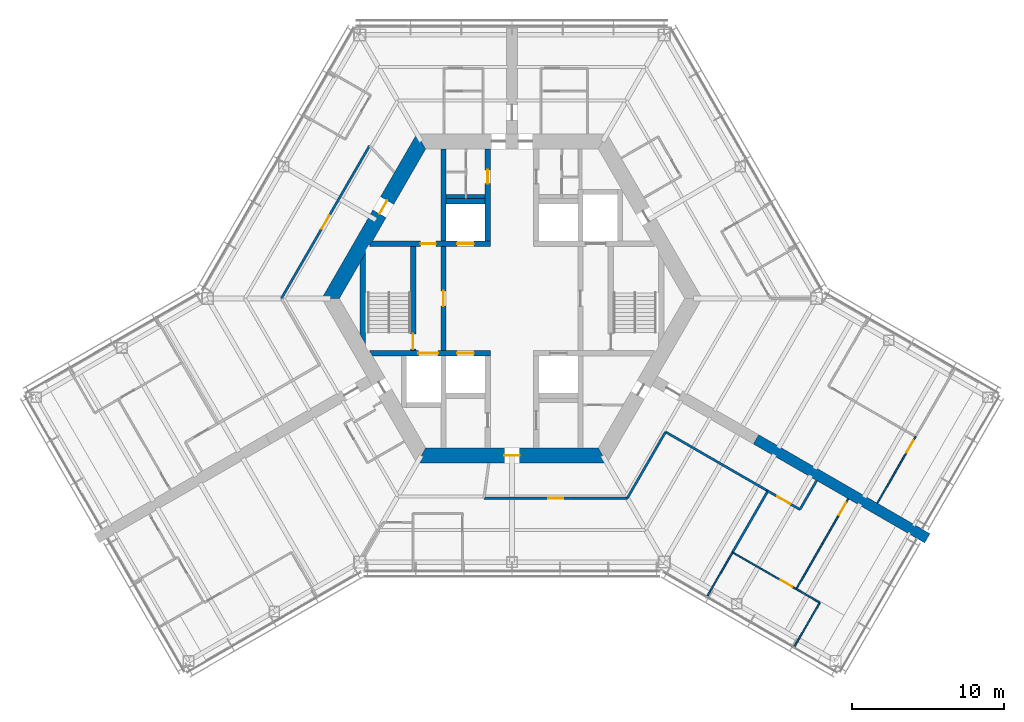
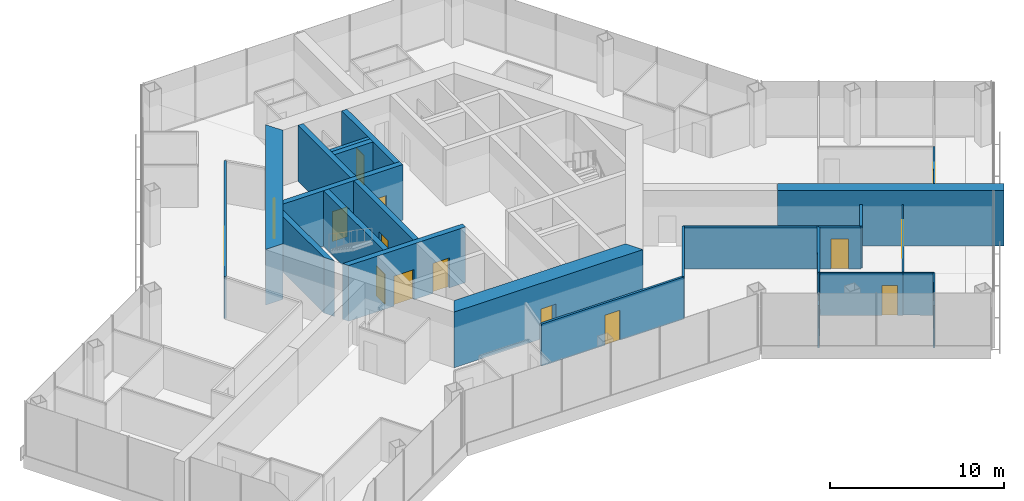
# One storey, part 13 of 18: 25 walls, 15 doors, 15 openings.
"""IFC4 building model written with IfcOpenShell, lengths in metres."""

from ifc_helpers import new_model, si_unit, direction, frame, frame_2d, origin, place, context, subcontext, project, spatial, polyline, rectangle, outline, extrude, material, layer, layer_set, type_object, element, fill, save


model = new_model("IFC4")

# Units and contexts
model_context = context("Model", 3, precision=1e-05, world=origin(), true_north=direction((0.0, 1.0)))
body_context = subcontext(model_context, "Body", "Model", "MODEL_VIEW")
ifc_project = project(units=[si_unit("LENGTHUNIT", "METRE"), si_unit("AREAUNIT", "SQUARE_METRE"), si_unit("VOLUMEUNIT", "CUBIC_METRE"), si_unit("PLANEANGLEUNIT", "RADIAN"), si_unit("MASSUNIT", "GRAM", prefix="KILO")], contexts=[model_context])

# Site, building, storey
site_placement = place(None, origin())
site = spatial("IfcSite", under=ifc_project, at=site_placement, CompositionType="ELEMENT")
building_placement = place(site_placement, origin())
building = spatial("IfcBuilding", under=site, at=building_placement, Name="Kasaneha Research Tower", CompositionType="ELEMENT")
storey_placement = place(building_placement, frame((0.0, 0.0, 195.5)))
storey = spatial("IfcBuildingStorey", under=building, at=storey_placement, Name="L49", CompositionType="ELEMENT", Elevation=195.5)

# Wall, openings, doors
ifc_material_1 = material(Name="Concrete Fc70", Category="concrete")
ifc_layer_1 = layer(ifc_material_1, 0.35009765625)
ifc_layer_set_1 = layer_set([ifc_layer_1], Name="Core internal wall 350 Fc70")
wall_type_1 = type_object("IfcWallType", Name="Core internal wall 350 Fc70", PredefinedType="SHEAR", material=ifc_layer_set_1)
wall_1_placement = place(storey_placement, frame((-9.266357421875, 3.60009765625, 0.0), z_axis=(0.0, 0.0, 1.0), x_axis=(1.0, 0.0, 0.0)))
wall_1 = element("IfcWall", 1, at=wall_1_placement, inside=storey, type_object=wall_type_1, Name="Core wall W1W L49", PredefinedType="SHEAR", context=body_context, shape_type="SweptSolid", body=[
    extrude(outline(polyline([(-0.10107421875, -0.175048828125), (3.266357421875, -0.175048828125), (4.266357421875, -0.175048828125), (5.66650390625, -0.175048828125), (6.7666015625, -0.175048828125), (7.84130859375, -0.175048828125), (7.84130859375, 0.175048828125), (6.7666015625, 0.175048828125), (5.66650390625, 0.175048828125), (4.266357421875, 0.175048828125), (3.266357421875, 0.175048828125), (0.10107421875, 0.175048828125), (-0.10107421875, -0.175048828125)])), origin(), (0.0, 0.0, 1.0), 3.89990234375),
])
opening_1_placement = place(wall_1_placement, frame((3.266357421875, 0.0, 0.0)))
opening_1 = element("IfcOpeningElement", 2, at=opening_1_placement, cuts=wall_1, Name="Opening L49-D12", PredefinedType="OPENING", context=body_context, shape_type="SweptSolid", body=[
    extrude(rectangle(XDim=1.0, YDim=2.10009765625, at=frame_2d((0.5, 1.050048828125))), frame((0.0, 0.18505859375, 0.0), z_axis=(0.0, -1.0, 0.0), x_axis=(1.0, 0.0, 0.0)), (0.0, 0.0, 1.0), 0.3701171875),
])
opening_2_placement = place(wall_1_placement, frame((5.66650390625, 0.0, 0.0)))
opening_2 = element("IfcOpeningElement", 3, at=opening_2_placement, cuts=wall_1, Name="Opening LD-LM1-L49", PredefinedType="OPENING", context=body_context, shape_type="SweptSolid", body=[
    extrude(rectangle(XDim=1.10009765625, YDim=2.10009765625, at=frame_2d((0.550048828125, 1.050048828125))), frame((0.0, 0.18505859375, 0.0), z_axis=(0.0, -1.0, 0.0), x_axis=(1.0, 0.0, 0.0)), (0.0, 0.0, 1.0), 0.3701171875),
])
ifc_material_2 = material(Name="Steel", Category="steel")
door_type_1 = type_object("IfcDoorType", Name="Lift landing door 1100x2100", OperationType="DOUBLE_DOOR_SLIDING", PredefinedType="DOOR", material=ifc_material_2)
door_1_placement = place(opening_2_placement, origin())
door_1 = element("IfcDoor", 4, at=door_1_placement, inside=storey, type_object=door_type_1, Name="Landing door LM1 LD-LM1-L49", OperationType="DOUBLE_DOOR_SLIDING", OverallHeight=2.10009765625, OverallWidth=1.10009765625, PredefinedType="DOOR", context=body_context, shape_type="SweptSolid", body=[
    extrude(rectangle(XDim=1.10009765625, YDim=2.10009765625, at=frame_2d((0.550048828125, 1.050048828125))), frame((0.0, 0.02490234375, 0.0), z_axis=(0.0, -1.0, 0.0), x_axis=(1.0, 0.0, 0.0)), (0.0, 0.0, 1.0), 0.050048828125),
])
fill(opening_2, door_1)
ifc_material_3 = material(Name="Steel", Category="steel")
door_type_2 = type_object("IfcDoorType", Name="Specified fire door FD60 1000x2100", OperationType="NOTDEFINED", PredefinedType="DOOR", material=ifc_material_3)
door_2_placement = place(opening_1_placement, origin())
door_2 = element("IfcDoor", 5, at=door_2_placement, inside=storey, type_object=door_type_2, Name="Vestibule to lobby door L49-D12", OperationType="SINGLE_SWING_LEFT", OverallHeight=2.10009765625, OverallWidth=1.0, PredefinedType="DOOR", context=body_context, shape_type="SweptSolid", body=[
    extrude(rectangle(XDim=1.0, YDim=2.10009765625, at=frame_2d((0.5, 1.050048828125))), frame((0.0, 0.02490234375, 0.0), z_axis=(0.0, -1.0, 0.0), x_axis=(1.0, 0.0, 0.0)), (0.0, 0.0, 1.0), 0.050048828125),
])
fill(opening_1, door_2)

wall_2_placement = place(storey_placement, frame((-9.266357421875, -3.60009765625, 0.0), z_axis=(0.0, 0.0, 1.0), x_axis=(1.0, 0.0, 0.0)))
wall_2 = element("IfcWall", 6, at=wall_2_placement, inside=storey, type_object=wall_type_1, Name="Core wall W2W L49", PredefinedType="SHEAR", context=body_context, shape_type="SweptSolid", body=[
    extrude(outline(polyline([(0.10107421875, -0.175048828125), (3.116455078125, -0.175048828125), (4.41650390625, -0.175048828125), (5.66650390625, -0.175048828125), (6.7666015625, -0.175048828125), (7.84130859375, -0.175048828125), (7.84130859375, 0.175048828125), (6.7666015625, 0.175048828125), (5.66650390625, 0.175048828125), (4.41650390625, 0.175048828125), (3.116455078125, 0.175048828125), (-0.10107421875, 0.175048828125), (0.10107421875, -0.175048828125)])), origin(), (0.0, 0.0, 1.0), 3.89990234375),
])
opening_3_placement = place(wall_2_placement, frame((5.66650390625, 0.0, 0.0)))
opening_3 = element("IfcOpeningElement", 7, at=opening_3_placement, cuts=wall_2, Name="Opening LD-LM3-L49", PredefinedType="OPENING", context=body_context, shape_type="SweptSolid", body=[
    extrude(rectangle(XDim=1.10009765625, YDim=2.10009765625, at=frame_2d((0.550048828125, 1.050048828125))), frame((0.0, 0.18505859375, 0.0), z_axis=(0.0, -1.0, 0.0), x_axis=(1.0, 0.0, 0.0)), (0.0, 0.0, 1.0), 0.3701171875),
])
opening_4_placement = place(wall_2_placement, frame((3.116455078125, 0.0, 0.0)))
opening_4 = element("IfcOpeningElement", 8, at=opening_4_placement, cuts=wall_2, Name="Opening LD-FL2-L49", PredefinedType="OPENING", context=body_context, shape_type="SweptSolid", body=[
    extrude(rectangle(XDim=1.300048828125, YDim=2.10009765625, at=frame_2d((0.64990234375, 1.050048828125))), frame((0.0, 0.18505859375, 0.0), z_axis=(0.0, -1.0, 0.0), x_axis=(1.0, 0.0, 0.0)), (0.0, 0.0, 1.0), 0.3701171875),
])
door_3_placement = place(opening_3_placement, origin())
door_3 = element("IfcDoor", 9, at=door_3_placement, inside=storey, type_object=door_type_1, Name="Landing door LM3 LD-LM3-L49", OperationType="DOUBLE_DOOR_SLIDING", OverallHeight=2.10009765625, OverallWidth=1.10009765625, PredefinedType="DOOR", context=body_context, shape_type="SweptSolid", body=[
    extrude(rectangle(XDim=1.10009765625, YDim=2.10009765625, at=frame_2d((0.550048828125, 1.050048828125))), frame((0.0, 0.02490234375, 0.0), z_axis=(0.0, -1.0, 0.0), x_axis=(1.0, 0.0, 0.0)), (0.0, 0.0, 1.0), 0.050048828125),
])
fill(opening_3, door_3)
ifc_material_4 = material(Name="Steel", Category="steel")
door_type_3 = type_object("IfcDoorType", Name="Lift landing door 1300x2100", OperationType="DOUBLE_DOOR_SLIDING", PredefinedType="DOOR", material=ifc_material_4)
door_4_placement = place(opening_4_placement, origin())
door_4 = element("IfcDoor", 10, at=door_4_placement, inside=storey, type_object=door_type_3, Name="Landing door FL2 LD-FL2-L49", OperationType="DOUBLE_DOOR_SLIDING", OverallHeight=2.10009765625, OverallWidth=1.300048828125, PredefinedType="DOOR", context=body_context, shape_type="SweptSolid", body=[
    extrude(rectangle(XDim=1.300048828125, YDim=2.10009765625, at=frame_2d((0.64990234375, 1.050048828125))), frame((0.0, 0.02490234375, 0.0), z_axis=(0.0, -1.0, 0.0), x_axis=(1.0, 0.0, 0.0)), (0.0, 0.0, 1.0), 0.050048828125),
])
fill(opening_4, door_4)

# Wall, opening, door
wall_3_placement = place(storey_placement, frame((-1.60009765625, 3.77490234375, 0.0), z_axis=(0.0, 0.0, 1.0), x_axis=(0.0, 1.0, 0.0)))
wall_3 = element("IfcWall", 11, at=wall_3_placement, inside=storey, type_object=wall_type_1, Name="Core wall CNW L49", PredefinedType="SHEAR", context=body_context, shape_type="SweptSolid", body=[
    extrude(rectangle(XDim=6.050048828125, YDim=0.35009765625, at=frame_2d((3.02490234375, 0.0))), origin(), (0.0, 0.0, 1.0), 3.89990234375),
])
opening_5_placement = place(wall_3_placement, frame((3.77490234375, 0.0, 0.0)))
opening_5 = element("IfcOpeningElement", 12, at=opening_5_placement, cuts=wall_3, Name="Opening L49-D13", PredefinedType="OPENING", context=body_context, shape_type="SweptSolid", body=[
    extrude(rectangle(XDim=0.89990234375, YDim=2.10009765625, at=frame_2d((0.449951171875, 1.050048828125))), frame((0.0, 0.18505859375, 0.0), z_axis=(0.0, -1.0, 0.0), x_axis=(1.0, 0.0, 0.0)), (0.0, 0.0, 1.0), 0.3701171875),
])
ifc_material_5 = material(Name="Steel", Category="steel")
door_type_4 = type_object("IfcDoorType", Name="Toilet door FD20 900x2100", OperationType="NOTDEFINED", PredefinedType="DOOR", material=ifc_material_5)
door_5_placement = place(opening_5_placement, origin())
door_5 = element("IfcDoor", 13, at=door_5_placement, inside=storey, type_object=door_type_4, Name="Men's WC door L49-D13", OperationType="SINGLE_SWING_LEFT", OverallHeight=2.10009765625, OverallWidth=0.89990234375, PredefinedType="DOOR", context=body_context, shape_type="SweptSolid", body=[
    extrude(rectangle(XDim=0.89990234375, YDim=2.10009765625, at=frame_2d((0.449951171875, 1.050048828125))), frame((0.0, 0.02490234375, 0.0), z_axis=(0.0, -1.0, 0.0), x_axis=(1.0, 0.0, 0.0)), (0.0, 0.0, 1.0), 0.050048828125),
])
fill(opening_5, door_5)

wall_4_placement = place(storey_placement, frame((-4.5, -3.425048828125, 0.0), z_axis=(0.0, 0.0, 1.0), x_axis=(0.0, 1.0, 0.0)))
wall_4 = element("IfcWall", 14, at=wall_4_placement, inside=storey, type_object=wall_type_1, Name="Core wall LBW L49", PredefinedType="SHEAR", context=body_context, shape_type="SweptSolid", body=[
    extrude(rectangle(XDim=6.85009765625, YDim=0.35009765625, at=frame_2d((3.425048828125, 0.0))), origin(), (0.0, 0.0, 1.0), 3.89990234375),
])
opening_6_placement = place(wall_4_placement, frame((2.925048828125, 0.0, 0.0)))
opening_6 = element("IfcOpeningElement", 15, at=opening_6_placement, cuts=wall_4, Name="Opening L49-D09", PredefinedType="OPENING", context=body_context, shape_type="SweptSolid", body=[
    extrude(rectangle(XDim=1.0, YDim=2.10009765625, at=frame_2d((0.5, 1.050048828125))), frame((0.0, 0.18505859375, 0.0), z_axis=(0.0, -1.0, 0.0), x_axis=(1.0, 0.0, 0.0)), (0.0, 0.0, 1.0), 0.3701171875),
])
door_6_placement = place(opening_6_placement, origin())
door_6 = element("IfcDoor", 16, at=door_6_placement, inside=storey, type_object=door_type_2, Name="Lift lobby door west L49-D09", OperationType="SINGLE_SWING_LEFT", OverallHeight=2.10009765625, OverallWidth=1.0, PredefinedType="DOOR", context=body_context, shape_type="SweptSolid", body=[
    extrude(rectangle(XDim=1.0, YDim=2.10009765625, at=frame_2d((0.5, 1.050048828125))), frame((0.0, 0.02490234375, 0.0), z_axis=(0.0, -1.0, 0.0), x_axis=(1.0, 0.0, 0.0)), (0.0, 0.0, 1.0), 0.050048828125),
])
fill(opening_6, door_6)

wall_5_placement = place(storey_placement, frame((-6.5, -3.425048828125, 0.0), z_axis=(0.0, 0.0, 1.0), x_axis=(0.0, 1.0, 0.0)))
wall_5 = element("IfcWall", 17, at=wall_5_placement, inside=storey, type_object=wall_type_1, Name="Core wall ANW L49", PredefinedType="SHEAR", context=body_context, shape_type="SweptSolid", body=[
    extrude(rectangle(XDim=6.85009765625, YDim=0.35009765625, at=frame_2d((3.425048828125, 0.0))), origin(), (0.0, 0.0, 1.0), 3.89990234375),
])
opening_7_placement = place(wall_5_placement, frame((0.10009765625, 0.0, 0.0)))
opening_7 = element("IfcOpeningElement", 18, at=opening_7_placement, cuts=wall_5, Name="Opening L49-D11", PredefinedType="OPENING", context=body_context, shape_type="SweptSolid", body=[
    extrude(rectangle(XDim=1.0, YDim=2.10009765625, at=frame_2d((0.5, 1.050048828125))), frame((0.0, 0.18505859375, 0.0), z_axis=(0.0, -1.0, 0.0), x_axis=(1.0, 0.0, 0.0)), (0.0, 0.0, 1.0), 0.3701171875),
])
door_7_placement = place(opening_7_placement, origin())
door_7 = element("IfcDoor", 19, at=door_7_placement, inside=storey, type_object=door_type_2, Name="Stair 2 door L49-D11", OperationType="SINGLE_SWING_LEFT", OverallHeight=2.10009765625, OverallWidth=1.0, PredefinedType="DOOR", context=body_context, shape_type="SweptSolid", body=[
    extrude(rectangle(XDim=1.0, YDim=2.10009765625, at=frame_2d((0.5, 1.050048828125))), frame((0.0, 0.02490234375, 0.0), z_axis=(0.0, -1.0, 0.0), x_axis=(1.0, 0.0, 0.0)), (0.0, 0.0, 1.0), 0.050048828125),
])
fill(opening_7, door_7)

# Walls
wall_6_placement = place(storey_placement, frame((-4.5, 3.77490234375, 0.0), z_axis=(0.0, 0.0, 1.0), x_axis=(0.0, 1.0, 0.0)))
element("IfcWall", 20, at=wall_6_placement, inside=storey, type_object=wall_type_1, Name="Core wall VNW L49", PredefinedType="SHEAR", context=body_context, shape_type="SweptSolid", body=[
    extrude(rectangle(XDim=6.050048828125, YDim=0.35009765625, at=frame_2d((3.02490234375, 0.0))), origin(), (0.0, 0.0, 1.0), 3.89990234375),
])
wall_7_placement = place(storey_placement, frame((-4.324951171875, 6.39990234375, 0.0), z_axis=(0.0, 0.0, 1.0), x_axis=(1.0, 0.0, 0.0)))
element("IfcWall", 21, at=wall_7_placement, inside=storey, type_object=wall_type_1, Name="Core wall N1N L49", PredefinedType="SHEAR", context=body_context, shape_type="SweptSolid", body=[
    extrude(rectangle(XDim=2.550048828125, YDim=0.35009765625, at=frame_2d((1.27490234375, 0.0))), origin(), (0.0, 0.0, 1.0), 3.89990234375),
])
wall_8_placement = place(storey_placement, frame((-9.807861328125, -2.662353515625, 0.0), z_axis=(0.0, 0.0, 1.0), x_axis=(0.0, 1.0, 0.0)))
element("IfcWall", 22, at=wall_8_placement, inside=storey, type_object=wall_type_1, Name="Core wall STW L49", PredefinedType="SHEAR", context=body_context, shape_type="SweptSolid", body=[
    extrude(outline(polyline([(-0.30322265625, -0.175048828125), (5.6279296875, -0.175048828125), (5.021484375, 0.175048828125), (0.30322265625, 0.175048828125), (-0.30322265625, -0.175048828125)])), origin(), (0.0, 0.0, 1.0), 3.89990234375),
])

# Wall, opening, door
ifc_material_6 = material(Name="Concrete Fc70", Category="concrete")
ifc_layer_2 = layer(ifc_material_6, 1.0)
ifc_layer_set_2 = layer_set([ifc_layer_2], Name="Core wall 1000 Fc70")
wall_type_2 = type_object("IfcWallType", Name="Core wall 1000 Fc70", PredefinedType="SHEAR", material=ifc_layer_set_2)
wall_9_placement = place(storey_placement, frame((-5.961181640625, 10.324951171875, 0.0), z_axis=(0.0, 0.0, 1.0), x_axis=(-0.500004296715, -0.866022923061, 0.0)))
wall_9 = element("IfcWall", 23, at=wall_9_placement, inside=storey, type_object=wall_type_2, Name="Core wall 150 L49", PredefinedType="SHEAR", context=body_context, shape_type="SweptSolid", body=[
    extrude(outline(polyline([(-0.28857421875, -0.5), (4.494140625, -0.5), (5.494140625, -0.5), (12.2109375, -0.5), (11.6337890625, 0.5), (5.494140625, 0.5), (4.494140625, 0.5), (0.28857421875, 0.5), (-0.28857421875, -0.5)])), origin(), (0.0, 0.0, 1.0), 3.89990234375),
])
opening_8_placement = place(wall_9_placement, frame((4.494140625, 0.0, 0.0)))
opening_8 = element("IfcOpeningElement", 24, at=opening_8_placement, cuts=wall_9, Name="Opening L49-D07", PredefinedType="OPENING", context=body_context, shape_type="SweptSolid", body=[
    extrude(rectangle(XDim=1.0, YDim=2.10009765625, at=frame_2d((0.5, 1.050048828125))), frame((0.0, 0.510009765625, 0.0), z_axis=(0.0, -1.0, 0.0), x_axis=(1.0, 0.0, 0.0)), (0.0, 0.0, 1.0), 1.02001953125),
])
ifc_material_7 = material(Name="Steel", Category="steel")
door_type_5 = type_object("IfcDoorType", Name="Fire door FD20 1000x2100", OperationType="NOTDEFINED", PredefinedType="DOOR", material=ifc_material_7)
door_8_placement = place(opening_8_placement, origin())
door_8 = element("IfcDoor", 25, at=door_8_placement, inside=storey, type_object=door_type_5, Name="Vestibule door L49-D07", OperationType="SINGLE_SWING_LEFT", OverallHeight=2.10009765625, OverallWidth=1.0, PredefinedType="DOOR", context=body_context, shape_type="SweptSolid", body=[
    extrude(rectangle(XDim=1.0, YDim=2.10009765625, at=frame_2d((0.5, 1.050048828125))), frame((0.0, 0.02490234375, 0.0), z_axis=(0.0, -1.0, 0.0), x_axis=(1.0, 0.0, 0.0)), (0.0, 0.0, 1.0), 0.050048828125),
])
fill(opening_8, door_8)

wall_10_placement = place(storey_placement, frame((-5.961181640625, -10.324951171875, 0.0), z_axis=(0.0, 0.0, 1.0), x_axis=(1.0, 0.0, 0.0)))
wall_10 = element("IfcWall", 26, at=wall_10_placement, inside=storey, type_object=wall_type_2, Name="Core wall 270 L49", PredefinedType="SHEAR", context=body_context, shape_type="SweptSolid", body=[
    extrude(outline(polyline([(-0.28857421875, -0.5), (5.461181640625, -0.5), (6.461181640625, -0.5), (12.2109375, -0.5), (11.6337890625, 0.5), (6.461181640625, 0.5), (5.461181640625, 0.5), (0.28857421875, 0.5), (-0.28857421875, -0.5)])), origin(), (0.0, 0.0, 1.0), 3.89990234375),
])
opening_9_placement = place(wall_10_placement, frame((5.461181640625, 0.0, 0.0)))
opening_9 = element("IfcOpeningElement", 27, at=opening_9_placement, cuts=wall_10, Name="Opening L49-D03", PredefinedType="OPENING", context=body_context, shape_type="SweptSolid", body=[
    extrude(rectangle(XDim=1.0, YDim=2.10009765625, at=frame_2d((0.5, 1.050048828125))), frame((0.0, 0.510009765625, 0.0), z_axis=(0.0, -1.0, 0.0), x_axis=(1.0, 0.0, 0.0)), (0.0, 0.0, 1.0), 1.02001953125),
])
door_9_placement = place(opening_9_placement, origin())
door_9 = element("IfcDoor", 28, at=door_9_placement, inside=storey, type_object=door_type_5, Name="Core door south L49-D03", OperationType="SINGLE_SWING_LEFT", OverallHeight=2.10009765625, OverallWidth=1.0, PredefinedType="DOOR", context=body_context, shape_type="SweptSolid", body=[
    extrude(rectangle(XDim=1.0, YDim=2.10009765625, at=frame_2d((0.5, 1.050048828125))), frame((0.0, 0.02490234375, 0.0), z_axis=(0.0, -1.0, 0.0), x_axis=(1.0, 0.0, 0.0)), (0.0, 0.0, 1.0), 0.050048828125),
])
fill(opening_9, door_9)

ifc_material_8 = material(Name="Gypsum board on steel studs, one layer each side", Category="steel")
ifc_layer_3 = layer(ifc_material_8, 0.10009765625)
ifc_layer_set_3 = layer_set([ifc_layer_3], Name="Office partition 100")
wall_type_3 = type_object("IfcWallType", Name="Office partition 100", PredefinedType="PARTITIONING", material=ifc_layer_set_3)
wall_11_placement = place(storey_placement, frame((24.017578125, -13.439208984375, 0.0), z_axis=(0.0, 0.0, 1.0), x_axis=(0.498430118894, 0.866929879851, 0.0)))
wall_11 = element("IfcWall", 29, at=wall_11_placement, inside=storey, type_object=wall_type_3, Name="Office partition FCE04 L49", PredefinedType="PARTITIONING", context=body_context, shape_type="SweptSolid", body=[
    extrude(rectangle(XDim=5.033935546875, YDim=0.10009765625, at=frame_2d((2.51708984375, 0.0))), origin(), (0.0, 0.0, 1.0), 2.949951171875),
])
opening_10_placement = place(wall_11_placement, frame((3.833984375, 0.0, 0.0)))
opening_10 = element("IfcOpeningElement", 30, at=opening_10_placement, cuts=wall_11, Name="Opening L49-D42", PredefinedType="OPENING", context=body_context, shape_type="SweptSolid", body=[
    extrude(rectangle(XDim=0.89990234375, YDim=2.10009765625, at=frame_2d((0.449951171875, 1.050048828125))), frame((0.0, 0.06005859375, 0.0), z_axis=(0.0, -1.0, 0.0), x_axis=(1.0, 0.0, 0.0)), (0.0, 0.0, 1.0), 0.1201171875),
])
ifc_material_9 = material(Name="Timber veneer", Category="wood")
door_type_6 = type_object("IfcDoorType", Name="Office door 900x2100", OperationType="SINGLE_SWING_LEFT", PredefinedType="DOOR", material=ifc_material_9)
door_10_placement = place(opening_10_placement, origin())
door_10 = element("IfcDoor", 31, at=door_10_placement, inside=storey, type_object=door_type_6, Name="Meeting room door L49-D42", OperationType="SINGLE_SWING_RIGHT", OverallHeight=2.10009765625, OverallWidth=0.89990234375, PredefinedType="DOOR", context=body_context, shape_type="SweptSolid", body=[
    extrude(rectangle(XDim=0.89990234375, YDim=2.10009765625, at=frame_2d((0.449951171875, 1.050048828125))), frame((0.0, 0.02490234375, 0.0), z_axis=(0.0, -1.0, 0.0), x_axis=(1.0, 0.0, 0.0)), (0.0, 0.0, 1.0), 0.050048828125),
])
fill(opening_10, door_10)

# Walls
wall_12_placement = place(storey_placement, frame((18.57275390625, -22.853271484375, 0.0), z_axis=(0.0, 0.0, 1.0), x_axis=(0.499920671713, 0.866071199148, 0.0)))
element("IfcWall", 32, at=wall_12_placement, inside=storey, type_object=wall_type_3, Name="Office partition FCS07 L49", PredefinedType="PARTITIONING", context=body_context, shape_type="SweptSolid", body=[
    extrude(rectangle(XDim=3.30517578125, YDim=0.10009765625, at=frame_2d((1.652587890625, 0.0))), origin(), (0.0, 0.0, 1.0), 2.949951171875),
])
wall_13_placement = place(storey_placement, frame((20.22509765625, -19.99072265625, 0.0), z_axis=(0.0, 0.0, 1.0), x_axis=(-0.864647633554, 0.502378811047, 0.0)))
element("IfcWall", 33, at=wall_13_placement, inside=storey, type_object=wall_type_3, Name="Office partition FCS08 L49", PredefinedType="PARTITIONING", context=body_context, shape_type="SweptSolid", body=[
    extrude(rectangle(XDim=1.791259765625, YDim=0.10009765625, at=frame_2d((0.8955078125, 0.0))), origin(), (0.0, 0.0, 1.0), 2.949951171875),
])

# Wall, opening, door
wall_14_placement = place(storey_placement, frame((18.67822265625, -19.097412109375, 0.0), z_axis=(0.0, 0.0, 1.0), x_axis=(0.499488276661, 0.86632064588, 0.0)))
wall_14 = element("IfcWall", 34, at=wall_14_placement, inside=storey, type_object=wall_type_3, Name="Office partition FCS09 L49", PredefinedType="PARTITIONING", context=body_context, shape_type="SweptSolid", body=[
    extrude(rectangle(XDim=6.829833984375, YDim=0.10009765625, at=frame_2d((3.4150390625, 0.0))), origin(), (0.0, 0.0, 1.0), 2.949951171875),
])
opening_11_placement = place(wall_14_placement, frame((5.629638671875, 0.0, 0.0)))
opening_11 = element("IfcOpeningElement", 35, at=opening_11_placement, cuts=wall_14, Name="Opening L49-D45", PredefinedType="OPENING", context=body_context, shape_type="SweptSolid", body=[
    extrude(rectangle(XDim=0.89990234375, YDim=2.10009765625, at=frame_2d((0.449951171875, 1.050048828125))), frame((0.0, 0.06005859375, 0.0), z_axis=(0.0, -1.0, 0.0), x_axis=(1.0, 0.0, 0.0)), (0.0, 0.0, 1.0), 0.1201171875),
])
door_11_placement = place(opening_11_placement, origin())
door_11 = element("IfcDoor", 36, at=door_11_placement, inside=storey, type_object=door_type_6, Name="Meeting room door L49-D45", OperationType="SINGLE_SWING_RIGHT", OverallHeight=2.10009765625, OverallWidth=0.89990234375, PredefinedType="DOOR", context=body_context, shape_type="SweptSolid", body=[
    extrude(rectangle(XDim=0.89990234375, YDim=2.10009765625, at=frame_2d((0.449951171875, 1.050048828125))), frame((0.0, 0.02490234375, 0.0), z_axis=(0.0, -1.0, 0.0), x_axis=(1.0, 0.0, 0.0)), (0.0, 0.0, 1.0), 0.050048828125),
])
fill(opening_11, door_11)

# Wall
wall_15_placement = place(storey_placement, frame((12.839599609375, -19.543212890625, 0.0), z_axis=(0.0, 0.0, 1.0), x_axis=(0.501269197563, 0.865291391136, 0.0)))
element("IfcWall", 37, at=wall_15_placement, inside=storey, type_object=wall_type_3, Name="Office partition FCS14 L49", PredefinedType="PARTITIONING", context=body_context, shape_type="SweptSolid", body=[
    extrude(rectangle(XDim=3.30517578125, YDim=0.10009765625, at=frame_2d((1.652587890625, 0.0))), origin(), (0.0, 0.0, 1.0), 2.949951171875),
])

# Wall, opening, door
wall_16_placement = place(storey_placement, frame((14.489990234375, -16.684814453125, 0.0), z_axis=(0.0, 0.0, 1.0), x_axis=(0.866481441777, -0.499209285827, 0.0)))
wall_16 = element("IfcWall", 38, at=wall_16_placement, inside=storey, type_object=wall_type_3, Name="Office partition FCS15 L49", PredefinedType="PARTITIONING", context=body_context, shape_type="SweptSolid", body=[
    extrude(rectangle(XDim=4.833251953125, YDim=0.10009765625, at=frame_2d((2.41650390625, 0.0))), origin(), (0.0, 0.0, 1.0), 2.949951171875),
])
opening_12_placement = place(wall_16_placement, frame((3.63330078125, 0.0, 0.0)))
opening_12 = element("IfcOpeningElement", 39, at=opening_12_placement, cuts=wall_16, Name="Opening L49-D47", PredefinedType="OPENING", context=body_context, shape_type="SweptSolid", body=[
    extrude(rectangle(XDim=0.89990234375, YDim=2.10009765625, at=frame_2d((0.449951171875, 1.050048828125))), frame((0.0, 0.06005859375, 0.0), z_axis=(0.0, -1.0, 0.0), x_axis=(1.0, 0.0, 0.0)), (0.0, 0.0, 1.0), 0.1201171875),
])
door_12_placement = place(opening_12_placement, origin())
door_12 = element("IfcDoor", 40, at=door_12_placement, inside=storey, type_object=door_type_6, Name="Meeting room door L49-D47", OperationType="SINGLE_SWING_RIGHT", OverallHeight=2.10009765625, OverallWidth=0.89990234375, PredefinedType="DOOR", context=body_context, shape_type="SweptSolid", body=[
    extrude(rectangle(XDim=0.89990234375, YDim=2.10009765625, at=frame_2d((0.449951171875, 1.050048828125))), frame((0.0, 0.02490234375, 0.0), z_axis=(0.0, -1.0, 0.0), x_axis=(1.0, 0.0, 0.0)), (0.0, 0.0, 1.0), 0.050048828125),
])
fill(opening_12, door_12)

# Wall
ifc_material_10 = material(Name="Concrete Fc70", Category="concrete")
ifc_layer_4 = layer(ifc_material_10, 0.699951171875)
ifc_layer_set_4 = layer_set([ifc_layer_4], Name="Spine wall 700 Fc70")
wall_type_4 = type_object("IfcWallType", Name="Spine wall 700 Fc70", PredefinedType="SHEAR", material=ifc_layer_set_4)
wall_17_placement = place(storey_placement, frame((16.039306640625, -9.26025390625, 0.0), z_axis=(0.0, 0.0, 1.0), x_axis=(0.866024837091, -0.50000098154, 0.0)))
element("IfcWall", 41, at=wall_17_placement, inside=storey, type_object=wall_type_4, Name="Spine wall C wing L49", PredefinedType="SHEAR", context=body_context, shape_type="SweptSolid", body=[
    extrude(rectangle(XDim=13.0, YDim=0.699951171875, at=frame_2d((6.5, 0.0))), origin(), (0.0, 0.0, 1.0), 3.89990234375),
])

# Wall, opening, door
ifc_material_11 = material(Name="Gypsum board on steel studs, two layers each side", Category="steel")
ifc_layer_5 = layer(ifc_material_11, 0.14990234375)
ifc_layer_set_5 = layer_set([ifc_layer_5], Name="Suite partition 150")
wall_type_5 = type_object("IfcWallType", Name="Suite partition 150", PredefinedType="PARTITIONING", material=ifc_layer_set_5)
wall_18_placement = place(storey_placement, frame((-15.155517578125, 0.0, 0.0), z_axis=(0.0, 0.0, 1.0), x_axis=(0.500012970505, 0.86601791513, 0.0)))
wall_18 = element("IfcWall", 42, at=wall_18_placement, inside=storey, type_object=wall_type_5, Name="Suite partition FBN02 L49", PredefinedType="PARTITIONING", context=body_context, shape_type="SweptSolid", body=[
    extrude(rectangle(XDim=11.590576171875, YDim=0.14990234375, at=frame_2d((5.79541015625, 0.0))), origin(), (0.0, 0.0, 1.0), 2.949951171875),
])
opening_13_placement = place(wall_18_placement, frame((5.295166015625, 0.0, 0.0)))
opening_13 = element("IfcOpeningElement", 43, at=opening_13_placement, cuts=wall_18, Name="Opening L49-D32", PredefinedType="OPENING", context=body_context, shape_type="SweptSolid", body=[
    extrude(rectangle(XDim=1.0, YDim=2.10009765625, at=frame_2d((0.5, 1.050048828125))), frame((0.0, 0.0849609375, 0.0), z_axis=(0.0, -1.0, 0.0), x_axis=(1.0, 0.0, 0.0)), (0.0, 0.0, 1.0), 0.169921875),
])
ifc_material_12 = material(Name="Steel", Category="steel")
door_type_7 = type_object("IfcDoorType", Name="Suite entrance door FD60 1000x2100", OperationType="NOTDEFINED", PredefinedType="DOOR", material=ifc_material_12)
door_13_placement = place(opening_13_placement, origin())
door_13 = element("IfcDoor", 44, at=door_13_placement, inside=storey, type_object=door_type_7, Name="Suite entrance door L49-D32", OperationType="SINGLE_SWING_RIGHT", OverallHeight=2.10009765625, OverallWidth=1.0, PredefinedType="DOOR", context=body_context, shape_type="SweptSolid", body=[
    extrude(rectangle(XDim=1.0, YDim=2.10009765625, at=frame_2d((0.5, 1.050048828125))), frame((0.0, 0.02490234375, 0.0), z_axis=(0.0, -1.0, 0.0), x_axis=(1.0, 0.0, 0.0)), (0.0, 0.0, 1.0), 0.050048828125),
])
fill(opening_13, door_13)

wall_19_placement = place(storey_placement, frame((7.57763671875, -13.125, 0.0), z_axis=(0.0, 0.0, 1.0), x_axis=(-1.0, 0.0, 0.0)))
wall_19 = element("IfcWall", 45, at=wall_19_placement, inside=storey, type_object=wall_type_5, Name="Suite partition FCS02 L49", PredefinedType="PARTITIONING", context=body_context, shape_type="SweptSolid", body=[
    extrude(rectangle(XDim=9.422119140625, YDim=0.14990234375, at=frame_2d((4.7109375, 0.0))), origin(), (0.0, 0.0, 1.0), 2.949951171875),
])
opening_14_placement = place(wall_19_placement, frame((4.211181640625, 0.0, 0.0)))
opening_14 = element("IfcOpeningElement", 46, at=opening_14_placement, cuts=wall_19, Name="Opening L49-D43", PredefinedType="OPENING", context=body_context, shape_type="SweptSolid", body=[
    extrude(rectangle(XDim=1.0, YDim=2.10009765625, at=frame_2d((0.5, 1.050048828125))), frame((0.0, 0.0849609375, 0.0), z_axis=(0.0, -1.0, 0.0), x_axis=(1.0, 0.0, 0.0)), (0.0, 0.0, 1.0), 0.169921875),
])
door_14_placement = place(opening_14_placement, origin())
door_14 = element("IfcDoor", 47, at=door_14_placement, inside=storey, type_object=door_type_7, Name="Suite entrance door L49-D43", OperationType="SINGLE_SWING_LEFT", OverallHeight=2.10009765625, OverallWidth=1.0, PredefinedType="DOOR", context=body_context, shape_type="SweptSolid", body=[
    extrude(rectangle(XDim=1.0, YDim=2.10009765625, at=frame_2d((0.5, 1.050048828125))), frame((0.0, 0.02490234375, 0.0), z_axis=(0.0, -1.0, 0.0), x_axis=(1.0, 0.0, 0.0)), (0.0, 0.0, 1.0), 0.050048828125),
])
fill(opening_14, door_14)

# Walls
wall_20_placement = place(storey_placement, frame((10.091552734375, -8.77099609375, 0.0), z_axis=(0.0, 0.0, 1.0), x_axis=(-0.500019495363, -0.866014147839, 0.0)))
element("IfcWall", 48, at=wall_20_placement, inside=storey, type_object=wall_type_5, Name="Suite partition FCS03 L49", PredefinedType="PARTITIONING", context=body_context, shape_type="SweptSolid", body=[
    extrude(rectangle(XDim=5.027587890625, YDim=0.14990234375, at=frame_2d((2.513671875, 0.0))), origin(), (0.0, 0.0, 1.0), 2.949951171875),
])
wall_21_placement = place(storey_placement, frame((16.821533203125, -12.656494140625, 0.0), z_axis=(0.0, 0.0, 1.0), x_axis=(-0.866028634939, 0.499994403434, 0.0)))
element("IfcWall", 49, at=wall_21_placement, inside=storey, type_object=wall_type_5, Name="Suite partition FCS04 L49", PredefinedType="PARTITIONING", context=body_context, shape_type="SweptSolid", body=[
    extrude(rectangle(XDim=7.77099609375, YDim=0.14990234375, at=frame_2d((3.885498046875, 0.0))), origin(), (0.0, 0.0, 1.0), 2.949951171875),
])

# Wall, opening, door
wall_22_placement = place(storey_placement, frame((18.921142578125, -13.86865234375, 0.0), z_axis=(0.0, 0.0, 1.0), x_axis=(-0.866000196749, 0.500043657324, 0.0)))
wall_22 = element("IfcWall", 50, at=wall_22_placement, inside=storey, type_object=wall_type_5, Name="Suite partition FCS05 L49", PredefinedType="PARTITIONING", context=body_context, shape_type="SweptSolid", body=[
    extrude(rectangle(XDim=2.434326171875, YDim=0.14990234375, at=frame_2d((1.21728515625, 0.0))), origin(), (0.0, 0.0, 1.0), 2.949951171875),
])
opening_15_placement = place(wall_22_placement, frame((0.71728515625, 0.0, 0.0)))
opening_15 = element("IfcOpeningElement", 51, at=opening_15_placement, cuts=wall_22, Name="Opening L49-D44", PredefinedType="OPENING", context=body_context, shape_type="SweptSolid", body=[
    extrude(rectangle(XDim=1.0, YDim=2.10009765625, at=frame_2d((0.5, 1.050048828125))), frame((0.0, 0.0849609375, 0.0), z_axis=(0.0, -1.0, 0.0), x_axis=(1.0, 0.0, 0.0)), (0.0, 0.0, 1.0), 0.169921875),
])
door_15_placement = place(opening_15_placement, origin())
door_15 = element("IfcDoor", 52, at=door_15_placement, inside=storey, type_object=door_type_7, Name="Suite entrance door L49-D44", OperationType="SINGLE_SWING_RIGHT", OverallHeight=2.10009765625, OverallWidth=1.0, PredefinedType="DOOR", context=body_context, shape_type="SweptSolid", body=[
    extrude(rectangle(XDim=1.0, YDim=2.10009765625, at=frame_2d((0.5, 1.050048828125))), frame((0.0, 0.02490234375, 0.0), z_axis=(0.0, -1.0, 0.0), x_axis=(1.0, 0.0, 0.0)), (0.0, 0.0, 1.0), 0.050048828125),
])
fill(opening_15, door_15)

# Walls
wall_23_placement = place(storey_placement, frame((20.01123046875, -11.980712890625, 0.0), z_axis=(0.0, 0.0, 1.0), x_axis=(-0.500029427677, -0.866008413041, 0.0)))
element("IfcWall", 53, at=wall_23_placement, inside=storey, type_object=wall_type_5, Name="Suite partition FCS06 L49", PredefinedType="PARTITIONING", context=body_context, shape_type="SweptSolid", body=[
    extrude(rectangle(XDim=2.179931640625, YDim=0.14990234375, at=frame_2d((1.08984375, 0.0))), origin(), (0.0, 0.0, 1.0), 2.949951171875),
])
wall_24_placement = place(storey_placement, frame((16.8125, -12.65185546875, 0.0), z_axis=(0.0, 0.0, 1.0), x_axis=(-0.499085020987, -0.86655302309, 0.0)))
element("IfcWall", 54, at=wall_24_placement, inside=storey, type_object=wall_type_5, Name="Suite partition FCS17 L49", PredefinedType="PARTITIONING", context=body_context, shape_type="SweptSolid", body=[
    extrude(rectangle(XDim=4.654052734375, YDim=0.14990234375, at=frame_2d((2.3271484375, 0.0))), origin(), (0.0, 0.0, 1.0), 2.949951171875),
])
ifc_material_13 = material(Name="Concrete block lining", Category="concrete")
ifc_layer_6 = layer(ifc_material_13, 0.25)
ifc_layer_set_6 = layer_set([ifc_layer_6], Name="WC plumbing wall 250")
wall_type_6 = type_object("IfcWallType", Name="WC plumbing wall 250", PredefinedType="PLUMBINGWALL", material=ifc_layer_set_6)
wall_25_placement = place(storey_placement, frame((-4.324951171875, 6.699951171875, 0.0), z_axis=(0.0, 0.0, 1.0), x_axis=(1.0, 0.0, 0.0)))
element("IfcWall", 55, at=wall_25_placement, inside=storey, type_object=wall_type_6, Name="WC plumbing wall M L49", PredefinedType="PLUMBINGWALL", context=body_context, shape_type="SweptSolid", body=[
    extrude(rectangle(XDim=2.550048828125, YDim=0.25, at=frame_2d((1.27490234375, 0.0))), origin(), (0.0, 0.0, 1.0), 3.89990234375),
])

save(model, "model.ifc")
